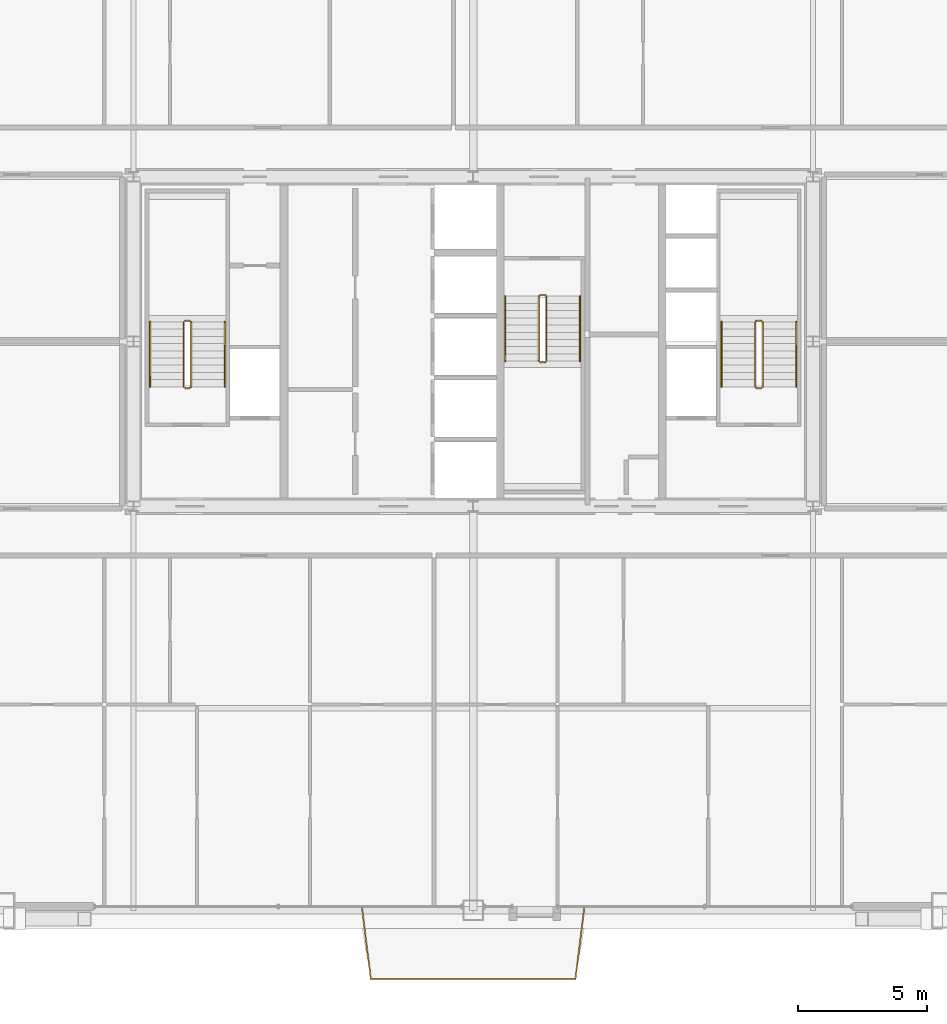
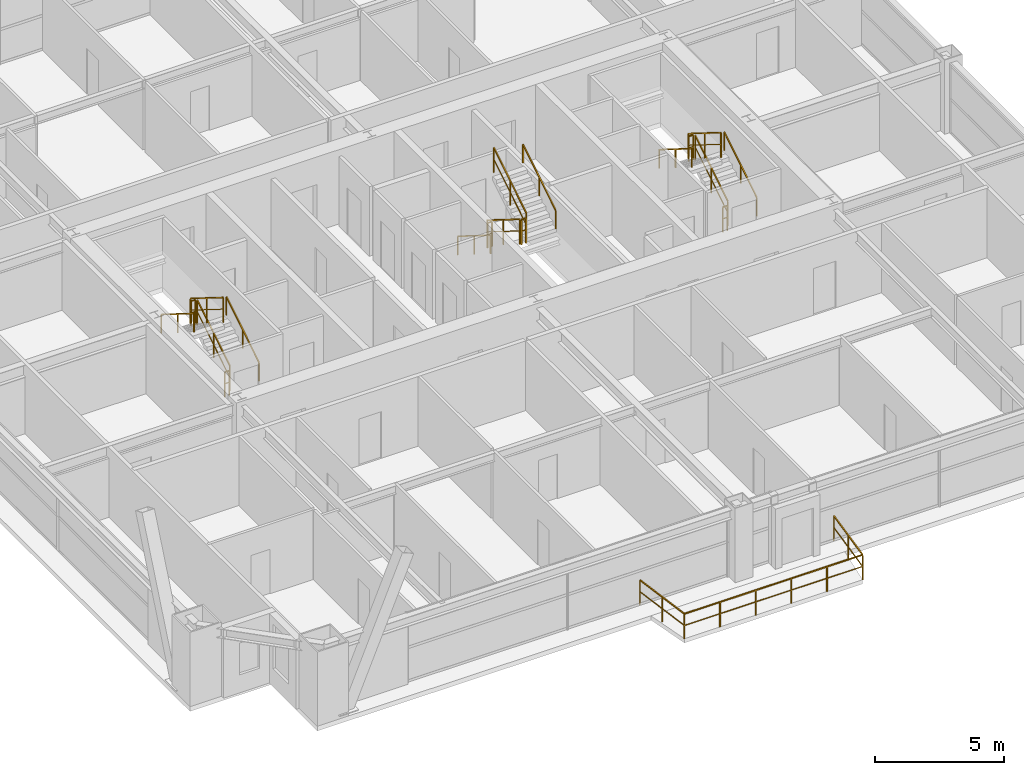
# One storey, part 45 of 45: 19 railings.
"""IFC4 building model written with IfcOpenShell, lengths in metres."""

from ifc_helpers import new_model, si_unit, direction, frame, origin, origin_2d, place, context, subcontext, project, spatial, rectangle, extrude, source, transform, mapped, material, layer, layer_set, type_object, element, save


model = new_model("IFC4")

# Units and contexts
model_context = context("Model", 3, precision=1e-05, world=origin(), true_north=direction((0.0, 1.0)))
body_context = subcontext(model_context, "Body", "Model", "MODEL_VIEW")
ifc_project = project(units=[si_unit("LENGTHUNIT", "METRE"), si_unit("AREAUNIT", "SQUARE_METRE"), si_unit("VOLUMEUNIT", "CUBIC_METRE"), si_unit("PLANEANGLEUNIT", "RADIAN"), si_unit("MASSUNIT", "GRAM", prefix="KILO"), si_unit("THERMODYNAMICTEMPERATUREUNIT", "KELVIN"), si_unit("POWERUNIT", "WATT")], contexts=[model_context])

# Site, building, storey
site_placement = place(None, origin())
site = spatial("IfcSite", under=ifc_project, at=site_placement, CompositionType="ELEMENT")
building_placement = place(site_placement, origin())
building = spatial("IfcBuilding", under=site, at=building_placement, Name="Yuzanri Waterfront Tower", CompositionType="ELEMENT")
storey_placement = place(building_placement, frame((0.0, 0.0, 212.5)))
storey = spatial("IfcBuildingStorey", under=building, at=storey_placement, Name="L56", CompositionType="ELEMENT", Elevation=212.5)

# Railings
ifc_material_1 = material(Name="Anodized Architectural Bronze", Category="metal")
ifc_layer_1 = layer(ifc_material_1, 0.080078125)
ifc_layer_set_1 = layer_set([ifc_layer_1], Name="Anodized Architectural Bronze")
railing_type_1 = type_object("IfcRailingType", Name="Laminated Glass and Bronze Balcony Guardrail 1200", PredefinedType="BALUSTRADE", material=ifc_layer_set_1)
shared_shape_1 = source(origin(), body_context, "Body", "SweptSolid", [
    extrude(rectangle(XDim=0.050048828125, YDim=0.050048828125, at=origin_2d()), frame((0.0, 0.0, 1.1748046875), z_axis=(0.122728472803, -0.992440286346, 0.0), x_axis=(0.992440286346, 0.122728472803, 0.0)), (0.0, 0.0, 1.0), 2.8525390625),
    extrude(rectangle(XDim=0.035888671875, YDim=0.030029296875, at=origin_2d()), frame((0.0, 0.0, 0.6240234375), z_axis=(0.122728472803, -0.992440286346, 0.0), x_axis=(0.992440286346, 0.122728472803, 0.0)), (0.0, 0.0, 1.0), 2.8525390625),
    extrude(rectangle(XDim=0.050048828125, YDim=0.050048828125, at=origin_2d()), frame((0.35009765625, -2.8310546875, 1.1748046875), z_axis=(1.0, 0.0, 0.0), x_axis=(0.0, 1.0, 0.0)), (0.0, 0.0, 1.0), 7.94677734375),
    extrude(rectangle(XDim=0.035888671875, YDim=0.030029296875, at=origin_2d()), frame((0.35009765625, -2.8310546875, 0.6240234375), z_axis=(1.0, 0.0, 0.0), x_axis=(0.0, 1.0, 0.0)), (0.0, 0.0, 1.0), 7.94677734375),
    extrude(rectangle(XDim=0.050048828125, YDim=0.050048828125, at=origin_2d()), frame((8.296875, -2.8310546875, 1.1748046875), z_axis=(0.122728472803, 0.992440286346, 0.0), x_axis=(-0.992440286346, 0.122728472803, 0.0)), (0.0, 0.0, 1.0), 2.8525390625),
    extrude(rectangle(XDim=0.035888671875, YDim=0.030029296875, at=origin_2d()), frame((8.296875, -2.8310546875, 0.6240234375), z_axis=(0.122728472803, 0.992440286346, 0.0), x_axis=(-0.992440286346, 0.122728472803, 0.0)), (0.0, 0.0, 1.0), 2.8525390625),
    extrude(rectangle(XDim=0.0458984375, YDim=0.0458984375, at=origin_2d()), origin(), (0.0, 0.0, 1.0), 1.14990234375),
    extrude(rectangle(XDim=0.0458984375, YDim=0.0458984375, at=origin_2d()), frame((0.175048828125, -1.41552734375, 0.0)), (0.0, 0.0, 1.0), 1.14990234375),
    extrude(rectangle(XDim=0.0458984375, YDim=0.0458984375, at=origin_2d()), frame((0.35009765625, -2.8310546875, 0.0)), (0.0, 0.0, 1.0), 1.14990234375),
    extrude(rectangle(XDim=0.0458984375, YDim=0.0458984375, at=origin_2d()), frame((1.939453125, -2.8310546875, 0.0)), (0.0, 0.0, 1.0), 1.14990234375),
    extrude(rectangle(XDim=0.0458984375, YDim=0.0458984375, at=origin_2d()), frame((3.52880859375, -2.8310546875, 0.0)), (0.0, 0.0, 1.0), 1.14990234375),
    extrude(rectangle(XDim=0.0458984375, YDim=0.0458984375, at=origin_2d()), frame((5.1181640625, -2.8310546875, 0.0)), (0.0, 0.0, 1.0), 1.14990234375),
    extrude(rectangle(XDim=0.0458984375, YDim=0.0458984375, at=origin_2d()), frame((6.70751953125, -2.8310546875, 0.0)), (0.0, 0.0, 1.0), 1.14990234375),
    extrude(rectangle(XDim=0.0458984375, YDim=0.0458984375, at=origin_2d()), frame((8.296875, -2.8310546875, 0.0)), (0.0, 0.0, 1.0), 1.14990234375),
    extrude(rectangle(XDim=0.0458984375, YDim=0.0458984375, at=origin_2d()), frame((8.471923828125, -1.41552734375, 0.0)), (0.0, 0.0, 1.0), 1.14990234375),
    extrude(rectangle(XDim=0.0458984375, YDim=0.0458984375, at=origin_2d()), frame((8.64697265625, 0.0, 0.0)), (0.0, 0.0, 1.0), 1.14990234375),
])
railing_placement = place(storey_placement, frame((32.676513671875, 3.85009765625, 0.0)))
element("IfcRailing", 1, at=railing_placement, inside=storey, type_object=railing_type_1, Name="L56 S Engawa Terrace Guardrail", PredefinedType="BALUSTRADE", context=body_context, shape_type="MappedRepresentation", body=[
    mapped(shared_shape_1, transform((0.0, 0.0, 0.0), scale=1.0)),
])
ifc_material_2 = material(Name="Painted Galvanized Fire Steel", Category="steel")
ifc_layer_2 = layer(ifc_material_2, 0.06005859375)
ifc_layer_set_2 = layer_set([ifc_layer_2], Name="Painted Galvanized Fire Steel")
railing_type_2 = type_object("IfcRailingType", Name="Painted Steel Stairwell Guardrail 1120", PredefinedType="GUARDRAIL", material=ifc_layer_set_2)
shared_shape_2 = source(origin(), body_context, "Body", "SweptSolid", [
    extrude(rectangle(XDim=0.050048828125, YDim=0.050048828125, at=origin_2d()), frame((0.0, 0.0, 1.1748046875), z_axis=(-1.0, 0.0, 0.0), x_axis=(0.0, -1.0, 0.0)), (0.0, 0.0, 1.0), 0.199951171875),
    extrude(rectangle(XDim=0.035888671875, YDim=0.030029296875, at=origin_2d()), frame((0.0, 0.0, 0.6240234375), z_axis=(-1.0, 0.0, 0.0), x_axis=(0.0, -1.0, 0.0)), (0.0, 0.0, 1.0), 0.199951171875),
    extrude(rectangle(XDim=0.0458984375, YDim=0.0458984375, at=origin_2d()), origin(), (0.0, 0.0, 1.0), 1.14990234375),
    extrude(rectangle(XDim=0.0458984375, YDim=0.0458984375, at=origin_2d()), frame((-0.199951171875, 0.0, 0.0)), (0.0, 0.0, 1.0), 1.14990234375),
])
for number, where, name in (
    (2, (26.0, 26.610107421875, 1.75), "L56 ST-01 stair guard 2"),
    (3, (26.0, 23.989990234375, 0.0), "L56 ST-01 stair guard 4"),
    (4, (48.199951171875, 26.610107421875, 1.75), "L56 ST-02 stair guard 2"),
    (5, (48.199951171875, 23.989990234375, 0.0), "L56 ST-02 stair guard 4"),
):
    element("IfcRailing", number, at=place(storey_placement, frame(where)), inside=storey, type_object=railing_type_2, Name=name, PredefinedType="GUARDRAIL", context=body_context, shape_type="MappedRepresentation", body=[
        mapped(shared_shape_2, transform((0.0, 0.0, 0.0), scale=1.0)),
    ])
shared_shape_3 = source(origin(), body_context, "Body", "SweptSolid", [
    extrude(rectangle(XDim=0.050048828125, YDim=0.050048828125, at=origin_2d()), frame((0.0, 0.0, 1.1748046875), z_axis=(0.0, 0.848007534815, 0.529984170421), x_axis=(-1.0, 0.0, 0.0)), (0.0, 0.0, 1.0), 2.9716796875),
    extrude(rectangle(XDim=0.035888671875, YDim=0.030029296875, at=origin_2d()), frame((0.0, 0.0, 0.6240234375), z_axis=(0.0, 0.848007534815, 0.529984170421), x_axis=(-1.0, 0.0, 0.0)), (0.0, 0.0, 1.0), 2.9716796875),
    extrude(rectangle(XDim=0.0458984375, YDim=0.0458984375, at=origin_2d()), origin(), (0.0, 0.0, 1.0), 1.14990234375),
    extrude(rectangle(XDim=0.0458984375, YDim=0.0458984375, at=origin_2d()), frame((0.0, 1.260009765625, 0.78759765625)), (0.0, 0.0, 1.0), 1.14990234375),
    extrude(rectangle(XDim=0.0458984375, YDim=0.0458984375, at=origin_2d()), frame((0.0, 2.52001953125, 1.574951171875)), (0.0, 0.0, 1.0), 1.14990234375),
])
for number, where, name in (
    (6, (26.050048828125, 24.0400390625, 0.175048828125), "L56 ST-01 stair guard 1"),
    (7, (48.25, 24.0400390625, 0.175048828125), "L56 ST-02 stair guard 1"),
    (8, (39.85009765625, 25.0400390625, 1.925048828125), "L56 ST-03 stair guard 3"),
):
    element("IfcRailing", number, at=place(storey_placement, frame(where)), inside=storey, type_object=railing_type_2, Name=name, PredefinedType="GUARDRAIL", context=body_context, shape_type="MappedRepresentation", body=[
        mapped(shared_shape_3, transform((0.0, 0.0, 0.0), scale=1.0)),
    ])
shared_shape_4 = source(origin(), body_context, "Body", "SweptSolid", [
    extrude(rectangle(XDim=0.050048828125, YDim=0.050048828125, at=origin_2d()), frame((0.0, 0.0, 1.1748046875), z_axis=(0.0, -0.848007534815, 0.529984170421), x_axis=(1.0, 0.0, 0.0)), (0.0, 0.0, 1.0), 2.9716796875),
    extrude(rectangle(XDim=0.035888671875, YDim=0.030029296875, at=origin_2d()), frame((0.0, 0.0, 0.6240234375), z_axis=(0.0, -0.848007534815, 0.529984170421), x_axis=(1.0, 0.0, 0.0)), (0.0, 0.0, 1.0), 2.9716796875),
    extrude(rectangle(XDim=0.0458984375, YDim=0.0458984375, at=origin_2d()), origin(), (0.0, 0.0, 1.0), 1.14990234375),
    extrude(rectangle(XDim=0.0458984375, YDim=0.0458984375, at=origin_2d()), frame((0.0, -1.260009765625, 0.78759765625)), (0.0, 0.0, 1.0), 1.14990234375),
    extrude(rectangle(XDim=0.0458984375, YDim=0.0458984375, at=origin_2d()), frame((0.0, -2.52001953125, 1.574951171875)), (0.0, 0.0, 1.0), 1.14990234375),
])
for number, where, name in (
    (9, (25.75, 26.56005859375, 1.925048828125), "L56 ST-01 stair guard 3"),
    (10, (47.949951171875, 26.56005859375, 1.925048828125), "L56 ST-02 stair guard 3"),
    (11, (39.550048828125, 27.56005859375, 0.175048828125), "L56 ST-03 stair guard 1"),
):
    element("IfcRailing", number, at=place(storey_placement, frame(where)), inside=storey, type_object=railing_type_2, Name=name, PredefinedType="GUARDRAIL", context=body_context, shape_type="MappedRepresentation", body=[
        mapped(shared_shape_4, transform((0.0, 0.0, 0.0), scale=1.0)),
    ])
ifc_material_3 = material(Name="Anodized Architectural Bronze", Category="metal")
ifc_layer_3 = layer(ifc_material_3, 0.050048828125)
ifc_layer_set_3 = layer_set([ifc_layer_3], Name="Anodized Architectural Bronze")
railing_type_3 = type_object("IfcRailingType", Name="Brushed Bronze Stair Pitch Handrail 920", PredefinedType="HANDRAIL", material=ifc_layer_set_3)
shared_shape_5 = source(origin(), body_context, "Body", "SweptSolid", [
    extrude(rectangle(XDim=0.050048828125, YDim=0.050048828125, at=origin_2d()), frame((0.0, 0.0, 0.875), z_axis=(0.0, 0.848007534815, 0.529984170421), x_axis=(-1.0, 0.0, 0.0)), (0.0, 0.0, 1.0), 2.9716796875),
    extrude(rectangle(XDim=0.0458984375, YDim=0.0458984375, at=origin_2d()), origin(), (0.0, 0.0, 1.0), 0.849853515625),
    extrude(rectangle(XDim=0.0458984375, YDim=0.0458984375, at=origin_2d()), frame((0.0, 1.260009765625, 0.78759765625)), (0.0, 0.0, 1.0), 0.849853515625),
    extrude(rectangle(XDim=0.0458984375, YDim=0.0458984375, at=origin_2d()), frame((0.0, 2.52001953125, 1.574951171875)), (0.0, 0.0, 1.0), 0.849853515625),
])
for number, where, name in (
    (12, (27.35009765625, 24.0400390625, 0.175048828125), "L56 ST-01 stair handrail 1"),
    (13, (49.550048828125, 24.0400390625, 0.175048828125), "L56 ST-02 stair handrail 1"),
    (14, (41.14990234375, 25.0400390625, 1.925048828125), "L56 ST-03 stair handrail 2"),
):
    element("IfcRailing", number, at=place(storey_placement, frame(where)), inside=storey, type_object=railing_type_3, Name=name, PredefinedType="HANDRAIL", context=body_context, shape_type="MappedRepresentation", body=[
        mapped(shared_shape_5, transform((0.0, 0.0, 0.0), scale=1.0)),
    ])
shared_shape_6 = source(origin(), body_context, "Body", "SweptSolid", [
    extrude(rectangle(XDim=0.050048828125, YDim=0.050048828125, at=origin_2d()), frame((0.0, 0.0, 0.875), z_axis=(0.0, -0.848007534815, 0.529984170421), x_axis=(1.0, 0.0, 0.0)), (0.0, 0.0, 1.0), 2.9716796875),
    extrude(rectangle(XDim=0.0458984375, YDim=0.0458984375, at=origin_2d()), origin(), (0.0, 0.0, 1.0), 0.849853515625),
    extrude(rectangle(XDim=0.0458984375, YDim=0.0458984375, at=origin_2d()), frame((0.0, -1.260009765625, 0.78759765625)), (0.0, 0.0, 1.0), 0.849853515625),
    extrude(rectangle(XDim=0.0458984375, YDim=0.0458984375, at=origin_2d()), frame((0.0, -2.52001953125, 1.574951171875)), (0.0, 0.0, 1.0), 0.849853515625),
])
for number, where, name in (
    (15, (24.449951171875, 26.56005859375, 1.925048828125), "L56 ST-01 stair handrail 2"),
    (16, (46.64990234375, 26.56005859375, 1.925048828125), "L56 ST-02 stair handrail 2"),
    (17, (38.25, 27.56005859375, 0.175048828125), "L56 ST-03 stair handrail 1"),
):
    element("IfcRailing", number, at=place(storey_placement, frame(where)), inside=storey, type_object=railing_type_3, Name=name, PredefinedType="HANDRAIL", context=body_context, shape_type="MappedRepresentation", body=[
        mapped(shared_shape_6, transform((0.0, 0.0, 0.0), scale=1.0)),
    ])
shared_shape_7 = source(origin(), body_context, "Body", "SweptSolid", [
    extrude(rectangle(XDim=0.050048828125, YDim=0.050048828125, at=origin_2d()), frame((0.0, 0.0, 1.1748046875), z_axis=(1.0, 0.0, 0.0), x_axis=(0.0, 1.0, 0.0)), (0.0, 0.0, 1.0), 0.199951171875),
    extrude(rectangle(XDim=0.035888671875, YDim=0.030029296875, at=origin_2d()), frame((0.0, 0.0, 0.6240234375), z_axis=(1.0, 0.0, 0.0), x_axis=(0.0, 1.0, 0.0)), (0.0, 0.0, 1.0), 0.199951171875),
    extrude(rectangle(XDim=0.0458984375, YDim=0.0458984375, at=origin_2d()), origin(), (0.0, 0.0, 1.0), 1.14990234375),
    extrude(rectangle(XDim=0.0458984375, YDim=0.0458984375, at=origin_2d()), frame((0.199951171875, 0.0, 0.0)), (0.0, 0.0, 1.0), 1.14990234375),
])
for number, where, name in (
    (18, (39.60009765625, 24.989990234375, 1.75), "L56 ST-03 stair guard 2"),
    (19, (39.60009765625, 27.610107421875, 0.0), "L56 ST-03 stair guard 4"),
):
    element("IfcRailing", number, at=place(storey_placement, frame(where)), inside=storey, type_object=railing_type_2, Name=name, PredefinedType="GUARDRAIL", context=body_context, shape_type="MappedRepresentation", body=[
        mapped(shared_shape_7, transform((0.0, 0.0, 0.0), scale=1.0)),
    ])

save(model, "model.ifc")
